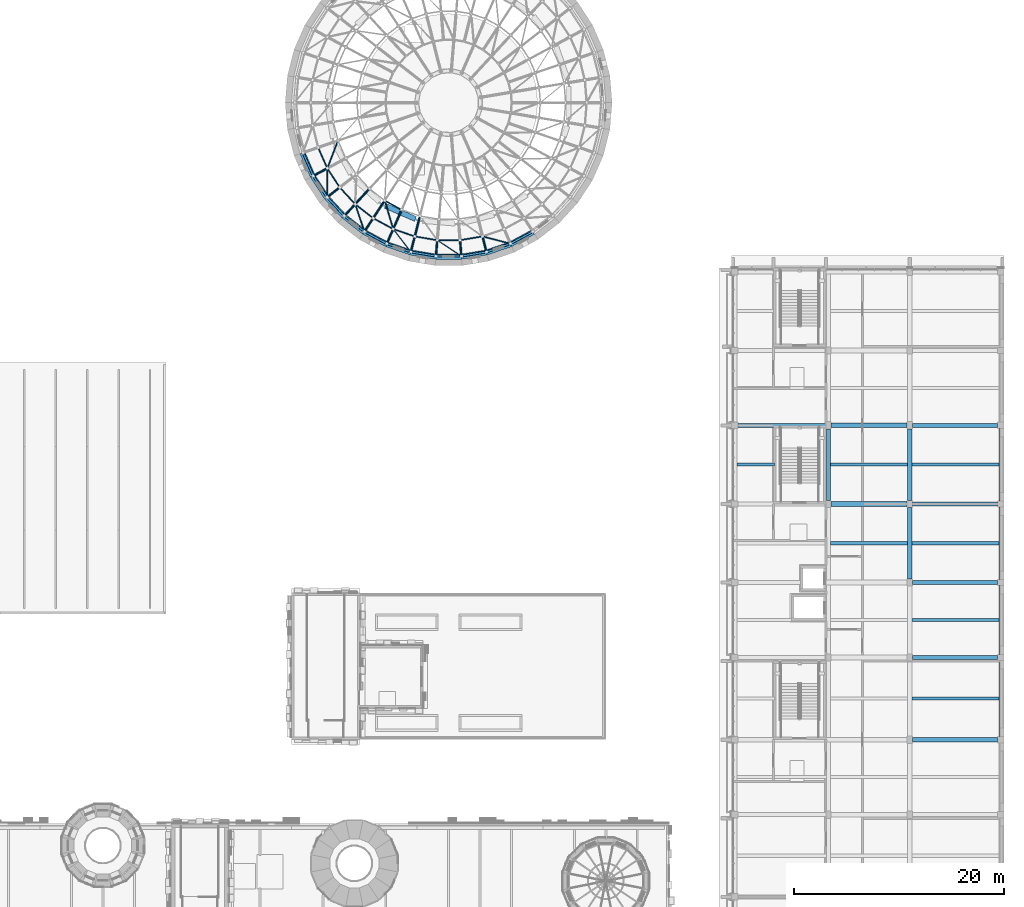
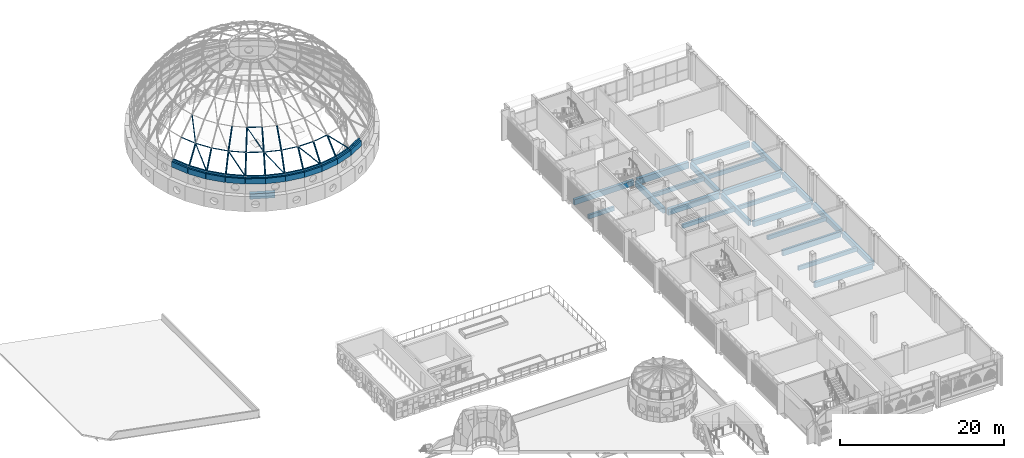
# One storey, part 27 of 98: 41 members, 34 beams.
"""IFC4 building model written with IfcOpenShell, lengths in metres."""

from ifc_helpers import new_model, si_unit, direction, frame, origin, origin_2d, place, context, subcontext, project, spatial, rectangle, hollow_rectangle, hollow_circle, extrude, material, material_profile, profile_set, type_object, element, save


model = new_model("IFC4")

# Units and contexts
model_context = context("Model", 3, precision=1e-05, world=origin(), true_north=direction((0.0, 1.0)))
body_context = subcontext(model_context, "Body", "Model", "MODEL_VIEW")
ifc_project = project(units=[si_unit("LENGTHUNIT", "METRE"), si_unit("AREAUNIT", "SQUARE_METRE"), si_unit("VOLUMEUNIT", "CUBIC_METRE"), si_unit("PLANEANGLEUNIT", "RADIAN"), si_unit("MASSUNIT", "GRAM", prefix="KILO")], contexts=[model_context])

# Site, building, storey
site_placement = place(None, origin())
site = spatial("IfcSite", under=ifc_project, at=site_placement, CompositionType="ELEMENT")
building_placement = place(site_placement, origin())
building = spatial("IfcBuilding", under=site, at=building_placement, Name="Sun Court Science Centre", CompositionType="ELEMENT")
storey_placement = place(building_placement, frame((0.0, 0.0, 15.75)))
storey = spatial("IfcBuildingStorey", under=building, at=storey_placement, Name="L03", CompositionType="ELEMENT", Elevation=15.75)

# Members
ifc_material_1 = material(Name="Steel S355", Category="steel")
ifc_material_profile_1 = material_profile(ifc_material_1, hollow_circle(Radius=0.04443359375, WallThickness=0.0048828125, at=origin_2d()), Name="CHS 88.9x5")
ifc_profile_set_1 = profile_set([ifc_material_profile_1], Name="Steel S355")
member_type_1 = type_object("IfcMemberType", Name="Dome brace CHS 88.9x5", PredefinedType="BRACE", material=ifc_profile_set_1)
for number, where, z_axis, x_axis, name in (
    (1, (40.43994140625, 93.1748046875, 9.2080078125), (-0.278911963205, -0.719880019426, -0.635594898038), (0.932459593953, -0.361274280353, 0.0), "Dome brace 4.21"),
    (2, (44.893310546875, 87.453125, 9.2080078125), (0.222011064082, -0.739416490075, -0.635589758909), (0.957759908535, 0.287569048409, 0.0), "Dome brace 4.25"),
):
    element("IfcMember", number, at=place(storey_placement, frame(where, z_axis=z_axis, x_axis=x_axis)), inside=storey, type_object=member_type_1, Name=name, PredefinedType="BRACE", context=body_context, shape_type="SweptSolid", body=[
        extrude(hollow_circle(Radius=0.04443359375, WallThickness=0.0048828125, at=origin_2d()), origin(), (0.0, 0.0, 1.0), 3.6728515625),
    ])
member_1_placement = place(storey_placement, frame((39.41552734375, 90.53076171875, 6.87353515625), z_axis=(-0.003983023239, -0.737904026682, -0.674893904945), x_axis=(0.999985432453, -0.005397673779, 0.0)))
element("IfcMember", 3, at=member_1_placement, inside=storey, type_object=member_type_1, Name="Dome brace 5.22", PredefinedType="BRACE", context=body_context, shape_type="SweptSolid", body=[
    extrude(hollow_circle(Radius=0.04443359375, WallThickness=0.0048828125, at=origin_2d()), origin(), (0.0, 0.0, 1.0), 3.739013671875),
])
member_2_placement = place(storey_placement, frame((42.078857421875, 87.10888671875, 6.87353515625), z_axis=(0.235789826927, -0.699207274089, -0.674916546973), x_axis=(0.94757134531, 0.319544277915, 0.0)))
element("IfcMember", 4, at=member_2_placement, inside=storey, type_object=member_type_1, Name="Dome brace 5.24", PredefinedType="BRACE", context=body_context, shape_type="SweptSolid", body=[
    extrude(hollow_circle(Radius=0.04443359375, WallThickness=0.0048828125, at=origin_2d()), origin(), (0.0, 0.0, 1.0), 3.73876953125),
])
for number, where, z_axis, x_axis, name in (
    (5, (45.708740234375, 84.7373046875, 6.87353515625), (0.450092034637, -0.584734392888, -0.67490951255), (0.792429862604, 0.609963042203, 0.0), "Dome brace 5.26"),
    (6, (49.912353515625, 83.6728515625, 6.87353515625), (0.615553673098, -0.406930146467, -0.674908535604), (0.551469544969, 0.834195025742, 0.0), "Dome brace 5.28"),
    (7, (54.233642578125, 84.031005859375, 6.87353515625), (0.714342769924, -0.18498474106, -0.674903735826), (0.250688834332, 0.968067718882, 0.0), "Dome brace 5.30"),
):
    element("IfcMember", number, at=place(storey_placement, frame(where, z_axis=z_axis, x_axis=x_axis)), inside=storey, type_object=member_type_1, Name=name, PredefinedType="BRACE", context=body_context, shape_type="SweptSolid", body=[
        extrude(hollow_circle(Radius=0.04443359375, WallThickness=0.0048828125, at=origin_2d()), origin(), (0.0, 0.0, 1.0), 3.739013671875),
    ])
ifc_material_2 = material(Name="Steel S355", Category="steel")
ifc_material_profile_2 = material_profile(ifc_material_2, hollow_circle(Radius=0.109619140625, WallThickness=0.010009765625, at=origin_2d()), Name="CHS 219.1x10")
ifc_profile_set_2 = profile_set([ifc_material_profile_2], Name="Steel S355")
member_type_2 = type_object("IfcMemberType", Name="Dome rib CHS 219.1x10", PredefinedType="RAFTER", material=ifc_profile_set_2)
for number, where, z_axis, x_axis, name in (
    (8, (38.07275390625, 89.80419921875, 4.35009765625), (0.455277621953, 0.246346582351, 0.855590818273), (-0.475891590602, 0.879503947685, 0.0), "Dome rib 22"),
    (9, (39.400634765625, 87.771728515625, 4.35009765625), (0.408506891912, 0.31794832256, 0.855588092158), (-0.614206271874, 0.789145522442, 0.0), "Dome rib 23"),
):
    element("IfcMember", number, at=place(storey_placement, frame(where, z_axis=z_axis, x_axis=x_axis)), inside=storey, type_object=member_type_2, Name=name, PredefinedType="RAFTER", context=body_context, shape_type="SweptSolid", body=[
        extrude(hollow_circle(Radius=0.109619140625, WallThickness=0.010009765625, at=origin_2d()), origin(), (0.0, 0.0, 1.0), 2.949462890625),
    ])
member_3_placement = place(storey_placement, frame((41.044677734375, 85.98583984375, 4.35009765625), z_axis=(0.35065000657, 0.38078140468, 0.855599260602), x_axis=(-0.735612207426, 0.677402893621, 0.0)))
element("IfcMember", 10, at=member_3_placement, inside=storey, type_object=member_type_2, Name="Dome rib 24", PredefinedType="RAFTER", context=body_context, shape_type="SweptSolid", body=[
    extrude(hollow_circle(Radius=0.109619140625, WallThickness=0.010009765625, at=origin_2d()), origin(), (0.0, 0.0, 1.0), 2.94921875),
])
member_4_placement = place(storey_placement, frame((42.078857421875, 87.10888671875, 6.87353515625), z_axis=(0.441536594172, 0.479679392627, 0.758256629576), x_axis=(-0.735754018948, 0.677248863862, 0.0)))
element("IfcMember", 11, at=member_4_placement, inside=storey, type_object=member_type_2, Name="Dome rib 24", PredefinedType="RAFTER", context=body_context, shape_type="SweptSolid", body=[
    extrude(hollow_circle(Radius=0.109619140625, WallThickness=0.010009765625, at=origin_2d()), origin(), (0.0, 0.0, 1.0), 3.078857421875),
])
member_5_placement = place(storey_placement, frame((42.96044921875, 84.49462890625, 4.35009765625), z_axis=(0.283180847183, 0.433338712366, 0.855585278131), x_axis=(-0.837107620149, 0.547038236587, 0.0)))
element("IfcMember", 12, at=member_5_placement, inside=storey, type_object=member_type_2, Name="Dome rib 25", PredefinedType="RAFTER", context=body_context, shape_type="SweptSolid", body=[
    extrude(hollow_circle(Radius=0.109619140625, WallThickness=0.010009765625, at=origin_2d()), origin(), (0.0, 0.0, 1.0), 2.949462890625),
])
member_6_placement = place(storey_placement, frame((43.795654296875, 85.772705078125, 6.87353515625), z_axis=(0.35653183368, 0.545820420646, 0.758264544851), x_axis=(-0.837215950947, 0.546872427061, 0.0)))
element("IfcMember", 13, at=member_6_placement, inside=storey, type_object=member_type_2, Name="Dome rib 25", PredefinedType="RAFTER", context=body_context, shape_type="SweptSolid", body=[
    extrude(hollow_circle(Radius=0.109619140625, WallThickness=0.010009765625, at=origin_2d()), origin(), (0.0, 0.0, 1.0), 3.07861328125),
])
member_7_placement = place(storey_placement, frame((45.095458984375, 83.33935546875, 4.35009765625), z_axis=(0.207944372244, 0.474000587368, 0.855618245029), x_axis=(-0.915753115057, 0.401741499305, 0.0)))
element("IfcMember", 14, at=member_7_placement, inside=storey, type_object=member_type_2, Name="Dome rib 26", PredefinedType="RAFTER", context=body_context, shape_type="SweptSolid", body=[
    extrude(hollow_circle(Radius=0.109619140625, WallThickness=0.010009765625, at=origin_2d()), origin(), (0.0, 0.0, 1.0), 2.94921875),
])
member_8_placement = place(storey_placement, frame((45.708740234375, 84.7373046875, 6.87353515625), z_axis=(0.261922294171, 0.597036921832, 0.758250371438), x_axis=(-0.915752099138, 0.401743815042, 0.0)))
element("IfcMember", 15, at=member_8_placement, inside=storey, type_object=member_type_2, Name="Dome rib 26", PredefinedType="RAFTER", context=body_context, shape_type="SweptSolid", body=[
    extrude(hollow_circle(Radius=0.109619140625, WallThickness=0.010009765625, at=origin_2d()), origin(), (0.0, 0.0, 1.0), 3.078857421875),
])
member_9_placement = place(storey_placement, frame((47.3916015625, 82.551025390625, 4.35009765625), z_axis=(0.127064936787, 0.501803027235, 0.855598167189), x_axis=(-0.969404333392, 0.245469424572, 0.0)))
element("IfcMember", 16, at=member_9_placement, inside=storey, type_object=member_type_2, Name="Dome rib 27", PredefinedType="RAFTER", context=body_context, shape_type="SweptSolid", body=[
    extrude(hollow_circle(Radius=0.109619140625, WallThickness=0.010009765625, at=origin_2d()), origin(), (0.0, 0.0, 1.0), 2.94921875),
])
member_10_placement = place(storey_placement, frame((47.766357421875, 84.031005859375, 6.87353515625), z_axis=(0.160033215903, 0.631964666764, 0.758294157811), x_axis=(-0.96940098593, 0.245482643946, 0.0)))
element("IfcMember", 17, at=member_10_placement, inside=storey, type_object=member_type_2, Name="Dome rib 27", PredefinedType="RAFTER", context=body_context, shape_type="SweptSolid", body=[
    extrude(hollow_circle(Radius=0.109619140625, WallThickness=0.010009765625, at=origin_2d()), origin(), (0.0, 0.0, 1.0), 3.07861328125),
])
for number, where, z_axis, x_axis, name in (
    (18, (49.7861328125, 82.1513671875, 4.35009765625), (0.042796310974, 0.515873520293, 0.855595106828), (-0.996576569064, 0.082674917556, 0.0), "Dome rib 28"),
    (19, (52.2138671875, 82.1513671875, 4.35009765625), (-0.042796310974, 0.515873520293, 0.855595106828), (-0.996576569064, -0.082674917556, 0.0), "Dome rib 29"),
    (20, (54.6083984375, 82.551025390625, 4.35009765625), (-0.127064936787, 0.501803027235, 0.855598167189), (-0.969404333392, -0.245469424572, 0.0), "Dome rib 30"),
):
    element("IfcMember", number, at=place(storey_placement, frame(where, z_axis=z_axis, x_axis=x_axis)), inside=storey, type_object=member_type_2, Name=name, PredefinedType="RAFTER", context=body_context, shape_type="SweptSolid", body=[
        extrude(hollow_circle(Radius=0.109619140625, WallThickness=0.010009765625, at=origin_2d()), origin(), (0.0, 0.0, 1.0), 2.94921875),
    ])
ifc_material_3 = material(Name="Steel S355", Category="steel")
ifc_material_profile_3 = material_profile(ifc_material_3, hollow_circle(Radius=0.06982421875, WallThickness=0.00634765625, at=origin_2d()), Name="CHS 139.7x6.3")
ifc_profile_set_3 = profile_set([ifc_material_profile_3], Name="Steel S355")
member_type_3 = type_object("IfcMemberType", Name="Dome ring CHS 139.7x6.3", PredefinedType="MEMBER", material=ifc_profile_set_3)
member_11_placement = place(storey_placement, frame((38.541748046875, 92.52294921875, 6.87353515625), z_axis=(0.401666448901, -0.915786036052, 0.0), x_axis=(0.915786036052, 0.401666448901, 0.0)))
element("IfcMember", 21, at=member_11_placement, inside=storey, type_object=member_type_3, Name="Dome ring 5 chord 21", PredefinedType="MEMBER", context=body_context, shape_type="SweptSolid", body=[
    extrude(hollow_circle(Radius=0.06982421875, WallThickness=0.00634765625, at=origin_2d()), origin(), (0.0, 0.0, 1.0), 2.17529296875),
])
for number, where, z_axis, x_axis, name in (
    (22, (39.41552734375, 90.53076171875, 6.87353515625), (0.546959070488, -0.837159348757, 0.0), (0.837159348757, 0.546959070488, 0.0), "Dome ring 5 chord 22"),
    (23, (40.60546875, 88.70947265625, 6.87353515625), (0.677268015701, -0.73573638955, 0.0), (0.73573638955, 0.677268015701, 0.0), "Dome ring 5 chord 23"),
    (24, (42.078857421875, 87.10888671875, 6.87353515625), (0.789152763941, -0.614196967726, 0.0), (0.614196967726, 0.789152763941, 0.0), "Dome ring 5 chord 24"),
):
    element("IfcMember", number, at=place(storey_placement, frame(where, z_axis=z_axis, x_axis=x_axis)), inside=storey, type_object=member_type_3, Name=name, PredefinedType="MEMBER", context=body_context, shape_type="SweptSolid", body=[
        extrude(hollow_circle(Radius=0.06982421875, WallThickness=0.00634765625, at=origin_2d()), origin(), (0.0, 0.0, 1.0), 2.175537109375),
    ])
member_12_placement = place(storey_placement, frame((44.893310546875, 87.453125, 9.2080078125), z_axis=(0.879474406293, -0.475946182541, 0.0), x_axis=(0.475946182541, 0.879474406293, 0.0)))
element("IfcMember", 25, at=member_12_placement, inside=storey, type_object=member_type_3, Name="Dome ring 4 chord 25", PredefinedType="MEMBER", context=body_context, shape_type="SweptSolid", body=[
    extrude(hollow_circle(Radius=0.06982421875, WallThickness=0.00634765625, at=origin_2d()), origin(), (0.0, 0.0, 1.0), 1.843994140625),
])
member_13_placement = place(storey_placement, frame((43.795654296875, 85.772705078125, 6.87353515625), z_axis=(0.879456421799, -0.475979413585, 0.0), x_axis=(0.475979413585, 0.879456421799, 0.0)))
element("IfcMember", 26, at=member_13_placement, inside=storey, type_object=member_type_3, Name="Dome ring 5 chord 25", PredefinedType="MEMBER", context=body_context, shape_type="SweptSolid", body=[
    extrude(hollow_circle(Radius=0.06982421875, WallThickness=0.00634765625, at=origin_2d()), origin(), (0.0, 0.0, 1.0), 2.17529296875),
])
member_14_placement = place(storey_placement, frame((45.708740234375, 84.7373046875, 6.87353515625), z_axis=(0.945828823181, -0.324665731545, 0.0), x_axis=(0.324665731545, 0.945828823181, 0.0)))
element("IfcMember", 27, at=member_14_placement, inside=storey, type_object=member_type_3, Name="Dome ring 5 chord 26", PredefinedType="MEMBER", context=body_context, shape_type="SweptSolid", body=[
    extrude(hollow_circle(Radius=0.06982421875, WallThickness=0.00634765625, at=origin_2d()), origin(), (0.0, 0.0, 1.0), 2.175537109375),
])
member_15_placement = place(storey_placement, frame((47.766357421875, 84.031005859375, 6.87353515625), z_axis=(0.986357506064, -0.164617344869, 0.0), x_axis=(0.164617344869, 0.986357506064, 0.0)))
element("IfcMember", 28, at=member_15_placement, inside=storey, type_object=member_type_3, Name="Dome ring 5 chord 27", PredefinedType="MEMBER", context=body_context, shape_type="SweptSolid", body=[
    extrude(hollow_circle(Radius=0.06982421875, WallThickness=0.00634765625, at=origin_2d()), origin(), (0.0, 0.0, 1.0), 2.17578125),
])
member_16_placement = place(storey_placement, frame((49.912353515625, 83.6728515625, 6.87353515625), z_axis=(1.0, 0.0, 0.0), x_axis=(0.0, 1.0, 0.0)))
element("IfcMember", 29, at=member_16_placement, inside=storey, type_object=member_type_3, Name="Dome ring 5 chord 28", PredefinedType="MEMBER", context=body_context, shape_type="SweptSolid", body=[
    extrude(hollow_circle(Radius=0.06982421875, WallThickness=0.00634765625, at=origin_2d()), origin(), (0.0, 0.0, 1.0), 2.17529296875),
])
member_17_placement = place(storey_placement, frame((52.087646484375, 83.6728515625, 6.87353515625), z_axis=(0.986357506064, 0.164617344869, 0.0), x_axis=(-0.164617344869, 0.986357506064, 0.0)))
element("IfcMember", 30, at=member_17_placement, inside=storey, type_object=member_type_3, Name="Dome ring 5 chord 29", PredefinedType="MEMBER", context=body_context, shape_type="SweptSolid", body=[
    extrude(hollow_circle(Radius=0.06982421875, WallThickness=0.00634765625, at=origin_2d()), origin(), (0.0, 0.0, 1.0), 2.17578125),
])
ifc_material_4 = material(Name="Steel S355", Category="steel")
ifc_material_profile_4 = material_profile(ifc_material_4, hollow_rectangle(XDim=0.199951171875, YDim=0.300048828125, WallThickness=0.012451171875, InnerFilletRadius=0.012451171875, OuterFilletRadius=0.018798828125, at=origin_2d()), Name="RHS 300x200x12.5")
ifc_profile_set_4 = profile_set([ifc_material_profile_4], Name="Steel S355")
member_type_4 = type_object("IfcMemberType", Name="Dome tension ring RHS 300x200x12.5", PredefinedType="MEMBER", material=ifc_profile_set_4)
member_18_placement = place(storey_placement, frame((37.09765625, 92.02734375, 4.35009765625), z_axis=(0.401673332829, -0.91578301671, 0.0), x_axis=(0.91578301671, 0.401673332829, 0.0)))
element("IfcMember", 31, at=member_18_placement, inside=storey, type_object=member_type_4, Name="Dome tension ring 21", PredefinedType="MEMBER", context=body_context, shape_type="SweptSolid", body=[
    extrude(hollow_rectangle(XDim=0.199951171875, YDim=0.300048828125, WallThickness=0.012451171875, InnerFilletRadius=0.012451171875, OuterFilletRadius=0.018798828125, at=origin_2d()), origin(), (0.0, 0.0, 1.0), 2.427490234375),
])
member_19_placement = place(storey_placement, frame((38.07275390625, 89.80419921875, 4.35009765625), z_axis=(0.54694858401, -0.837166200016, 0.0), x_axis=(0.837166200016, 0.54694858401, 0.0)))
element("IfcMember", 32, at=member_19_placement, inside=storey, type_object=member_type_4, Name="Dome tension ring 22", PredefinedType="MEMBER", context=body_context, shape_type="SweptSolid", body=[
    extrude(hollow_rectangle(XDim=0.199951171875, YDim=0.300048828125, WallThickness=0.012451171875, InnerFilletRadius=0.012451171875, OuterFilletRadius=0.018798828125, at=origin_2d()), origin(), (0.0, 0.0, 1.0), 2.427734375),
])
member_20_placement = place(storey_placement, frame((39.400634765625, 87.771728515625, 4.35009765625), z_axis=(0.677285280195, -0.735720496677, 0.0), x_axis=(0.735720496677, 0.677285280195, 0.0)))
element("IfcMember", 33, at=member_20_placement, inside=storey, type_object=member_type_4, Name="Dome tension ring 23", PredefinedType="MEMBER", context=body_context, shape_type="SweptSolid", body=[
    extrude(hollow_rectangle(XDim=0.199951171875, YDim=0.300048828125, WallThickness=0.012451171875, InnerFilletRadius=0.012451171875, OuterFilletRadius=0.018798828125, at=origin_2d()), origin(), (0.0, 0.0, 1.0), 2.427490234375),
])
member_21_placement = place(storey_placement, frame((41.044677734375, 85.98583984375, 4.35009765625), z_axis=(0.789119318154, -0.614239938229, 0.0), x_axis=(0.614239938229, 0.789119318154, 0.0)))
element("IfcMember", 34, at=member_21_placement, inside=storey, type_object=member_type_4, Name="Dome tension ring 24", PredefinedType="MEMBER", context=body_context, shape_type="SweptSolid", body=[
    extrude(hollow_rectangle(XDim=0.199951171875, YDim=0.300048828125, WallThickness=0.012451171875, InnerFilletRadius=0.012451171875, OuterFilletRadius=0.018798828125, at=origin_2d()), origin(), (0.0, 0.0, 1.0), 2.427734375),
])
member_22_placement = place(storey_placement, frame((42.96044921875, 84.49462890625, 4.35009765625), z_axis=(0.879497212553, -0.475904037713, 0.0), x_axis=(0.475904037713, 0.879497212553, 0.0)))
element("IfcMember", 35, at=member_22_placement, inside=storey, type_object=member_type_4, Name="Dome tension ring 25", PredefinedType="MEMBER", context=body_context, shape_type="SweptSolid", body=[
    extrude(hollow_rectangle(XDim=0.199951171875, YDim=0.300048828125, WallThickness=0.012451171875, InnerFilletRadius=0.012451171875, OuterFilletRadius=0.018798828125, at=origin_2d()), origin(), (0.0, 0.0, 1.0), 2.427490234375),
])
for number, where, z_axis, x_axis, name in (
    (36, (45.095458984375, 83.33935546875, 4.35009765625), (0.945809229431, -0.324722807212, 0.0), (0.324722807212, 0.945809229431, 0.0), "Dome tension ring 26"),
    (37, (47.3916015625, 82.551025390625, 4.35009765625), (0.986355845235, -0.164627295947, 0.0), (0.164627295947, 0.986355845235, 0.0), "Dome tension ring 27"),
    (38, (49.7861328125, 82.1513671875, 4.35009765625), (1.0, 0.0, 0.0), (0.0, 1.0, 0.0), "Dome tension ring 28"),
    (39, (52.2138671875, 82.1513671875, 4.35009765625), (0.986355845235, 0.164627295947, 0.0), (-0.164627295947, 0.986355845235, 0.0), "Dome tension ring 29"),
    (40, (54.6083984375, 82.551025390625, 4.35009765625), (0.945809229431, 0.324722807212, 0.0), (-0.324722807212, 0.945809229431, 0.0), "Dome tension ring 30"),
):
    element("IfcMember", number, at=place(storey_placement, frame(where, z_axis=z_axis, x_axis=x_axis)), inside=storey, type_object=member_type_4, Name=name, PredefinedType="MEMBER", context=body_context, shape_type="SweptSolid", body=[
        extrude(hollow_rectangle(XDim=0.199951171875, YDim=0.300048828125, WallThickness=0.012451171875, InnerFilletRadius=0.012451171875, OuterFilletRadius=0.018798828125, at=origin_2d()), origin(), (0.0, 0.0, 1.0), 2.427734375),
    ])
member_23_placement = place(storey_placement, frame((56.904541015625, 83.33935546875, 4.35009765625), z_axis=(0.879497212553, 0.475904037713, 0.0), x_axis=(-0.475904037713, 0.879497212553, 0.0)))
element("IfcMember", 41, at=member_23_placement, inside=storey, type_object=member_type_4, Name="Dome tension ring 31", PredefinedType="MEMBER", context=body_context, shape_type="SweptSolid", body=[
    extrude(hollow_rectangle(XDim=0.199951171875, YDim=0.300048828125, WallThickness=0.012451171875, InnerFilletRadius=0.012451171875, OuterFilletRadius=0.018798828125, at=origin_2d()), origin(), (0.0, 0.0, 1.0), 2.427490234375),
])

# Beams
ifc_material_5 = material(Name="Concrete C25/30", Category="concrete")
ifc_material_profile_5 = material_profile(ifc_material_5, rectangle(XDim=0.39990234375, YDim=0.800048828125, at=origin_2d()), Name="RC 400x800")
ifc_profile_set_5 = profile_set([ifc_material_profile_5], Name="Concrete C25/30")
beam_type_1 = type_object("IfcBeamType", Name="RC girder 400x800", PredefinedType="BEAM", material=ifc_profile_set_5)
for number, where, z_axis, x_axis, name in (
    (42, (95.25, 36.0, -0.699951171875), (1.0, 0.0, 0.0), (0.0, 1.0, 0.0), "Girder L03 row 5"),
    (43, (95.25, 43.85009765625, -0.699951171875), (1.0, 0.0, 0.0), (0.0, 1.0, 0.0), "Girder L03 row 6"),
    (44, (95.25, 51.0, -0.699951171875), (1.0, 0.0, 0.0), (0.0, 1.0, 0.0), "Girder L03 row 7"),
    (45, (95.25, 58.5, -0.699951171875), (1.0, 0.0, 0.0), (0.0, 1.0, 0.0), "Girder L03 row 8"),
):
    element("IfcBeam", number, at=place(storey_placement, frame(where, z_axis=z_axis, x_axis=x_axis)), inside=storey, type_object=beam_type_1, Name=name, PredefinedType="BEAM", context=body_context, shape_type="SweptSolid", body=[
        extrude(rectangle(XDim=0.39990234375, YDim=0.800048828125, at=origin_2d()), origin(), (0.0, 0.0, 1.0), 8.14990234375),
    ])
beam_1_placement = place(storey_placement, frame((78.60009765625, 66.0, -0.699951171875), z_axis=(1.0, 0.0, 0.0), x_axis=(0.0, 1.0, 0.0)))
element("IfcBeam", 46, at=beam_1_placement, inside=storey, type_object=beam_type_1, Name="Girder L03 row 9", PredefinedType="BEAM", context=body_context, shape_type="SweptSolid", body=[
    extrude(rectangle(XDim=0.39990234375, YDim=0.800048828125, at=origin_2d()), origin(), (0.0, 0.0, 1.0), 8.39990234375),
])
beam_2_placement = place(storey_placement, frame((95.25, 66.0, -0.699951171875), z_axis=(1.0, 0.0, 0.0), x_axis=(0.0, 1.0, 0.0)))
element("IfcBeam", 47, at=beam_2_placement, inside=storey, type_object=beam_type_1, Name="Girder L03 row 9", PredefinedType="BEAM", context=body_context, shape_type="SweptSolid", body=[
    extrude(rectangle(XDim=0.39990234375, YDim=0.800048828125, at=origin_2d()), origin(), (0.0, 0.0, 1.0), 8.14990234375),
])
for number, where, z_axis, x_axis, name in (
    (48, (87.25, 58.85009765625, -0.699951171875), (0.0, 1.0, 0.0), (-1.0, 0.0, 0.0), "Girder L03 line 2"),
    (49, (95.0, 51.35009765625, -0.699951171875), (0.0, 1.0, 0.0), (-1.0, 0.0, 0.0), "Girder L03 line 3"),
    (50, (95.0, 58.85009765625, -0.699951171875), (0.0, 1.0, 0.0), (-1.0, 0.0, 0.0), "Girder L03 line 3"),
):
    element("IfcBeam", number, at=place(storey_placement, frame(where, z_axis=z_axis, x_axis=x_axis)), inside=storey, type_object=beam_type_1, Name=name, PredefinedType="BEAM", context=body_context, shape_type="SweptSolid", body=[
        extrude(rectangle(XDim=0.39990234375, YDim=0.800048828125, at=origin_2d()), origin(), (0.0, 0.0, 1.0), 6.7998046875),
    ])
beam_3_placement = place(storey_placement, frame((103.699951171875, 36.300048828125, -0.699951171875), z_axis=(0.0, 1.0, 0.0), x_axis=(-1.0, 0.0, 0.0)))
element("IfcBeam", 51, at=beam_3_placement, inside=storey, type_object=beam_type_1, Name="Girder L03 line 4", PredefinedType="BEAM", context=body_context, shape_type="SweptSolid", body=[
    extrude(rectangle(XDim=0.39990234375, YDim=0.800048828125, at=origin_2d()), origin(), (0.0, 0.0, 1.0), 7.25),
])
beam_4_placement = place(storey_placement, frame((103.699951171875, 44.14990234375, -0.699951171875), z_axis=(0.0, 1.0, 0.0), x_axis=(-1.0, 0.0, 0.0)))
element("IfcBeam", 52, at=beam_4_placement, inside=storey, type_object=beam_type_1, Name="Girder L03 line 4", PredefinedType="BEAM", context=body_context, shape_type="SweptSolid", body=[
    extrude(rectangle(XDim=0.39990234375, YDim=0.800048828125, at=origin_2d()), origin(), (0.0, 0.0, 1.0), 6.550048828125),
])
for number, where, z_axis, x_axis, name in (
    (53, (103.699951171875, 51.300048828125, -0.699951171875), (0.0, 1.0, 0.0), (-1.0, 0.0, 0.0), "Girder L03 line 4"),
    (54, (103.699951171875, 58.800048828125, -0.699951171875), (0.0, 1.0, 0.0), (-1.0, 0.0, 0.0), "Girder L03 line 4"),
):
    element("IfcBeam", number, at=place(storey_placement, frame(where, z_axis=z_axis, x_axis=x_axis)), inside=storey, type_object=beam_type_1, Name=name, PredefinedType="BEAM", context=body_context, shape_type="SweptSolid", body=[
        extrude(rectangle(XDim=0.39990234375, YDim=0.800048828125, at=origin_2d()), origin(), (0.0, 0.0, 1.0), 6.89990234375),
    ])
ifc_material_6 = material(Name="Concrete C25/30", Category="concrete")
ifc_material_profile_6 = material_profile(ifc_material_6, rectangle(XDim=0.449951171875, YDim=0.89990234375, at=origin_2d()), Name="RC 450x900")
ifc_profile_set_6 = profile_set([ifc_material_profile_6], Name="Concrete C25/30")
beam_type_2 = type_object("IfcBeamType", Name="RC girder 450x900", PredefinedType="BEAM", material=ifc_profile_set_6)
for number, where, z_axis, x_axis, name in (
    (55, (87.5, 58.5, -0.75), (1.0, 0.0, 0.0), (0.0, 1.0, 0.0), "Girder L03 row 8"),
    (56, (87.5, 66.0, -0.75), (1.0, 0.0, 0.0), (0.0, 1.0, 0.0), "Girder L03 row 9"),
):
    element("IfcBeam", number, at=place(storey_placement, frame(where, z_axis=z_axis, x_axis=x_axis)), inside=storey, type_object=beam_type_2, Name=name, PredefinedType="BEAM", context=body_context, shape_type="SweptSolid", body=[
        extrude(rectangle(XDim=0.449951171875, YDim=0.89990234375, at=origin_2d()), origin(), (0.0, 0.0, 1.0), 7.25),
    ])
ifc_material_7 = material(Name="Concrete C25/30", Category="concrete")
ifc_material_profile_7 = material_profile(ifc_material_7, rectangle(XDim=0.5, YDim=0.800048828125, at=origin_2d()), Name="RC 500x800")
ifc_profile_set_7 = profile_set([ifc_material_profile_7], Name="Concrete C25/30")
beam_type_3 = type_object("IfcBeamType", Name="RC girder 500x800", PredefinedType="BEAM", material=ifc_profile_set_7)
beam_5_placement = place(storey_placement, frame((37.050048828125, 92.010986328125, 3.800048828125), z_axis=(0.401707209598, -0.915768157209, 0.0), x_axis=(0.915768157209, 0.401707209598, 0.0)))
element("IfcBeam", 57, at=beam_5_placement, inside=storey, type_object=beam_type_3, Name="Drum ring beam 21", PredefinedType="BEAM", context=body_context, shape_type="SweptSolid", body=[
    extrude(rectangle(XDim=0.5, YDim=0.800048828125, at=origin_2d()), origin(), (0.0, 0.0, 1.0), 2.435791015625),
])
for number, where, z_axis, x_axis, name in (
    (58, (38.028564453125, 89.7802734375, 3.800048828125), (0.546927979397, -0.837179661335, 0.0), (0.837179661335, 0.546927979397, 0.0), "Drum ring beam 22"),
    (59, (39.36083984375, 87.740966796875, 3.800048828125), (0.677288810182, -0.735717247047, 0.0), (0.735717247047, 0.677288810182, 0.0), "Drum ring beam 23"),
):
    element("IfcBeam", number, at=place(storey_placement, frame(where, z_axis=z_axis, x_axis=x_axis)), inside=storey, type_object=beam_type_3, Name=name, PredefinedType="BEAM", context=body_context, shape_type="SweptSolid", body=[
        extrude(rectangle(XDim=0.5, YDim=0.800048828125, at=origin_2d()), origin(), (0.0, 0.0, 1.0), 2.43603515625),
    ])
beam_6_placement = place(storey_placement, frame((41.0107421875, 85.94873046875, 3.800048828125), z_axis=(0.789082300875, -0.614287491689, 0.0), x_axis=(0.614287491689, 0.789082300875, 0.0)))
element("IfcBeam", 60, at=beam_6_placement, inside=storey, type_object=beam_type_3, Name="Drum ring beam 24", PredefinedType="BEAM", context=body_context, shape_type="SweptSolid", body=[
    extrude(rectangle(XDim=0.5, YDim=0.800048828125, at=origin_2d()), origin(), (0.0, 0.0, 1.0), 2.435791015625),
])
for number, where, z_axis, x_axis, name in (
    (61, (42.932861328125, 84.452392578125, 3.800048828125), (0.879529694159, -0.475844004998, 0.0), (0.475844004998, 0.879529694159, 0.0), "Drum ring beam 25"),
    (62, (45.075439453125, 83.293212890625, 3.800048828125), (0.945808813777, -0.32472401787, 0.0), (0.32472401787, 0.945808813777, 0.0), "Drum ring beam 26"),
):
    element("IfcBeam", number, at=place(storey_placement, frame(where, z_axis=z_axis, x_axis=x_axis)), inside=storey, type_object=beam_type_3, Name=name, PredefinedType="BEAM", context=body_context, shape_type="SweptSolid", body=[
        extrude(rectangle(XDim=0.5, YDim=0.800048828125, at=origin_2d()), origin(), (0.0, 0.0, 1.0), 2.43603515625),
    ])
beam_7_placement = place(storey_placement, frame((47.37939453125, 82.502197265625, 3.800048828125), z_axis=(0.9863641095, -0.164577773377, 0.0), x_axis=(0.164577773377, 0.9863641095, 0.0)))
element("IfcBeam", 63, at=beam_7_placement, inside=storey, type_object=beam_type_3, Name="Drum ring beam 27", PredefinedType="BEAM", context=body_context, shape_type="SweptSolid", body=[
    extrude(rectangle(XDim=0.5, YDim=0.800048828125, at=origin_2d()), origin(), (0.0, 0.0, 1.0), 2.435791015625),
])
beam_8_placement = place(storey_placement, frame((49.781982421875, 82.101318359375, 3.800048828125), z_axis=(1.0, 0.0, 0.0), x_axis=(0.0, 1.0, 0.0)))
element("IfcBeam", 64, at=beam_8_placement, inside=storey, type_object=beam_type_3, Name="Drum ring beam 28", PredefinedType="BEAM", context=body_context, shape_type="SweptSolid", body=[
    extrude(rectangle(XDim=0.5, YDim=0.800048828125, at=origin_2d()), origin(), (0.0, 0.0, 1.0), 2.43603515625),
])
beam_9_placement = place(storey_placement, frame((52.218017578125, 82.101318359375, 3.800048828125), z_axis=(0.9863641095, 0.164577773377, 0.0), x_axis=(-0.164577773377, 0.9863641095, 0.0)))
element("IfcBeam", 65, at=beam_9_placement, inside=storey, type_object=beam_type_3, Name="Drum ring beam 29", PredefinedType="BEAM", context=body_context, shape_type="SweptSolid", body=[
    extrude(rectangle(XDim=0.5, YDim=0.800048828125, at=origin_2d()), origin(), (0.0, 0.0, 1.0), 2.435791015625),
])
for number, where, z_axis, x_axis, name in (
    (66, (54.62060546875, 82.502197265625, 3.800048828125), (0.945808813777, 0.32472401787, 0.0), (-0.32472401787, 0.945808813777, 0.0), "Drum ring beam 30"),
    (67, (56.924560546875, 83.293212890625, 3.800048828125), (0.879529694159, 0.475844004998, 0.0), (-0.475844004998, 0.879529694159, 0.0), "Drum ring beam 31"),
):
    element("IfcBeam", number, at=place(storey_placement, frame(where, z_axis=z_axis, x_axis=x_axis)), inside=storey, type_object=beam_type_3, Name=name, PredefinedType="BEAM", context=body_context, shape_type="SweptSolid", body=[
        extrude(rectangle(XDim=0.5, YDim=0.800048828125, at=origin_2d()), origin(), (0.0, 0.0, 1.0), 2.43603515625),
    ])
beam_10_placement = place(storey_placement, frame((44.9755859375, 86.948486328125, -0.699951171875), z_axis=(0.915776085797, -0.401689134385, 0.0), x_axis=(0.401689134385, 0.915776085797, 0.0)))
element("IfcBeam", 68, at=beam_10_placement, inside=storey, type_object=beam_type_3, Name="Gallery ring beam", PredefinedType="BEAM", context=body_context, shape_type="SweptSolid", body=[
    extrude(rectangle(XDim=0.5, YDim=0.800048828125, at=origin_2d()), origin(), (0.0, 0.0, 1.0), 3.119140625),
])
ifc_material_8 = material(Name="Concrete C25/30", Category="concrete")
ifc_material_profile_8 = material_profile(ifc_material_8, rectangle(XDim=0.300048828125, YDim=0.60009765625, at=origin_2d()), Name="RC 300x600")
ifc_profile_set_8 = profile_set([ifc_material_profile_8], Name="Concrete C25/30")
beam_type_4 = type_object("IfcBeamType", Name="RC joist 300x600", PredefinedType="JOIST", material=ifc_profile_set_8)
for number, where, z_axis, x_axis, name in (
    (69, (95.199951171875, 39.925048828125, -0.60009765625), (1.0, 0.0, 0.0), (0.0, 1.0, 0.0), "Joist L03"),
    (70, (95.199951171875, 47.425048828125, -0.60009765625), (1.0, 0.0, 0.0), (0.0, 1.0, 0.0), "Joist L03"),
):
    element("IfcBeam", number, at=place(storey_placement, frame(where, z_axis=z_axis, x_axis=x_axis)), inside=storey, type_object=beam_type_4, Name=name, PredefinedType="JOIST", context=body_context, shape_type="SweptSolid", body=[
        extrude(rectangle(XDim=0.300048828125, YDim=0.60009765625, at=origin_2d()), origin(), (0.0, 0.0, 1.0), 8.300048828125),
    ])
beam_11_placement = place(storey_placement, frame((87.449951171875, 54.75, -0.60009765625), z_axis=(1.0, 0.0, 0.0), x_axis=(0.0, 1.0, 0.0)))
element("IfcBeam", 71, at=beam_11_placement, inside=storey, type_object=beam_type_4, Name="Joist L03", PredefinedType="JOIST", context=body_context, shape_type="SweptSolid", body=[
    extrude(rectangle(XDim=0.300048828125, YDim=0.60009765625, at=origin_2d()), origin(), (0.0, 0.0, 1.0), 7.35009765625),
])
beam_12_placement = place(storey_placement, frame((95.199951171875, 54.75, -0.60009765625), z_axis=(1.0, 0.0, 0.0), x_axis=(0.0, 1.0, 0.0)))
element("IfcBeam", 72, at=beam_12_placement, inside=storey, type_object=beam_type_4, Name="Joist L03", PredefinedType="JOIST", context=body_context, shape_type="SweptSolid", body=[
    extrude(rectangle(XDim=0.300048828125, YDim=0.60009765625, at=origin_2d()), origin(), (0.0, 0.0, 1.0), 8.300048828125),
])
beam_13_placement = place(storey_placement, frame((78.5, 62.25, -0.60009765625), z_axis=(1.0, 0.0, 0.0), x_axis=(0.0, 1.0, 0.0)))
element("IfcBeam", 73, at=beam_13_placement, inside=storey, type_object=beam_type_4, Name="Joist L03", PredefinedType="JOIST", context=body_context, shape_type="SweptSolid", body=[
    extrude(rectangle(XDim=0.300048828125, YDim=0.60009765625, at=origin_2d()), origin(), (0.0, 0.0, 1.0), 3.60009765625),
])
beam_14_placement = place(storey_placement, frame((87.449951171875, 62.25, -0.60009765625), z_axis=(1.0, 0.0, 0.0), x_axis=(0.0, 1.0, 0.0)))
element("IfcBeam", 74, at=beam_14_placement, inside=storey, type_object=beam_type_4, Name="Joist L03", PredefinedType="JOIST", context=body_context, shape_type="SweptSolid", body=[
    extrude(rectangle(XDim=0.300048828125, YDim=0.60009765625, at=origin_2d()), origin(), (0.0, 0.0, 1.0), 7.35009765625),
])
beam_15_placement = place(storey_placement, frame((95.199951171875, 62.25, -0.60009765625), z_axis=(1.0, 0.0, 0.0), x_axis=(0.0, 1.0, 0.0)))
element("IfcBeam", 75, at=beam_15_placement, inside=storey, type_object=beam_type_4, Name="Joist L03", PredefinedType="JOIST", context=body_context, shape_type="SweptSolid", body=[
    extrude(rectangle(XDim=0.300048828125, YDim=0.60009765625, at=origin_2d()), origin(), (0.0, 0.0, 1.0), 8.300048828125),
])

save(model, "model.ifc")
